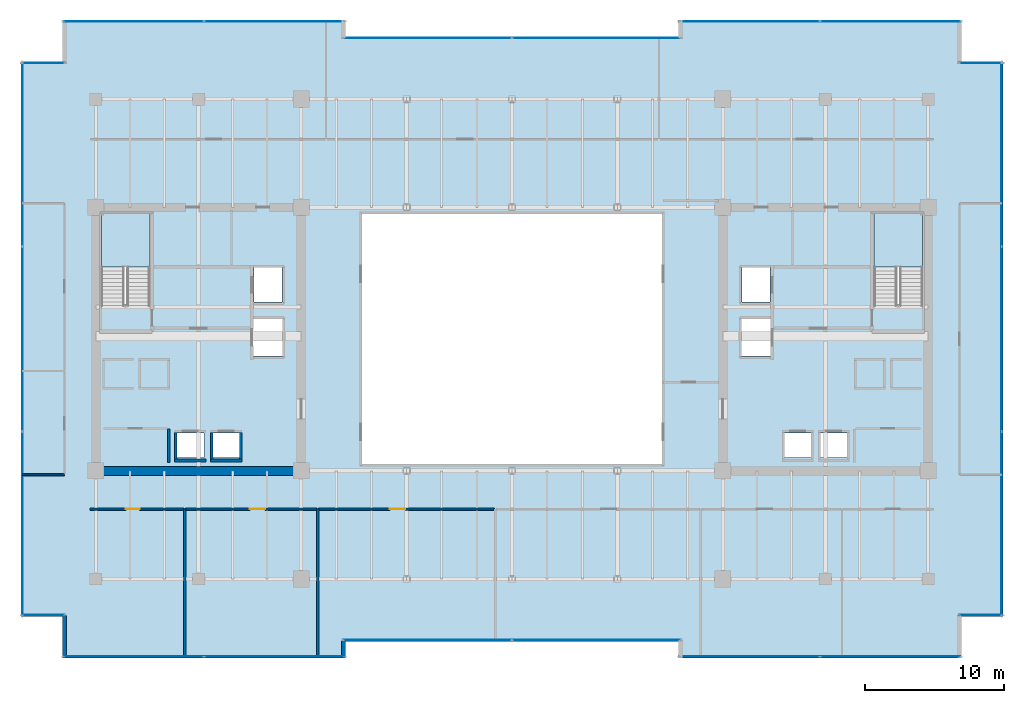
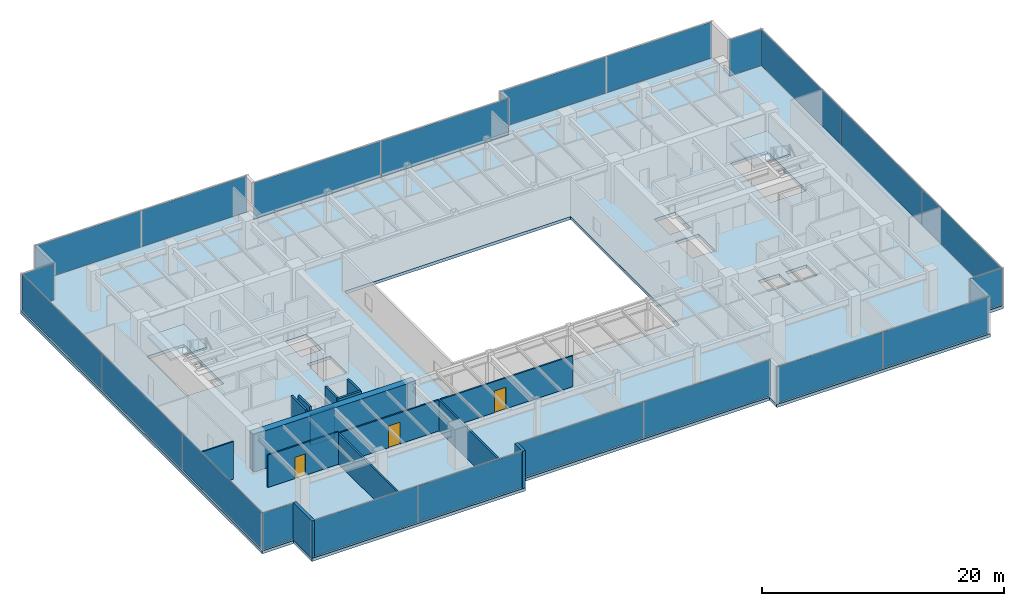
# One storey, part 24 of 30: 22 plates, 15 walls, 3 doors, 3 slabs, 3 openings, 14 elements without a shape of their own.
"""IFC4 building model written with IfcOpenShell, lengths in metres."""

from ifc_helpers import new_model, si_unit, direction, frame, frame_2d, origin, origin_2d, place, context, subcontext, project, spatial, polyline, rectangle, outline, extrude, source, transform, mapped, material, layer, layer_set, type_object, type_shapes, element, fill, aggregate, save


model = new_model("IFC4")

# Units and contexts
model_context = context("Model", 3, precision=1e-05, world=origin(), true_north=direction((0.0, 1.0)))
body_context = subcontext(model_context, "Body", "Model", "MODEL_VIEW")
ifc_project = project(units=[si_unit("LENGTHUNIT", "METRE"), si_unit("AREAUNIT", "SQUARE_METRE"), si_unit("VOLUMEUNIT", "CUBIC_METRE"), si_unit("PLANEANGLEUNIT", "RADIAN"), si_unit("MASSUNIT", "GRAM", prefix="KILO")], contexts=[model_context])

# Site, building, storey
site_placement = place(None, origin())
site = spatial("IfcSite", under=ifc_project, at=site_placement, CompositionType="ELEMENT")
building_placement = place(site_placement, origin())
building = spatial("IfcBuilding", under=site, at=building_placement, Name="Haelvirn Gate Laboratories", CompositionType="ELEMENT")
storey_placement = place(building_placement, frame((0.0, 0.0, 129.699951171875)))
storey = spatial("IfcBuildingStorey", under=building, at=storey_placement, Name="L31", CompositionType="ELEMENT", Elevation=129.699951171875)

# Stair, slab
ifc_material_1 = material(Name="Concrete C40/50", Category="concrete")
stair_type = type_object("IfcStairType", Name="ST-DOG-1650-R22", PredefinedType="HALF_TURN_STAIR", material=ifc_material_1)
stair_1_placement = place(storey_placement, origin())
stair_1 = element("IfcStair", 1, at=stair_1_placement, inside=storey, type_object=stair_type, Name="L31 Escape Stair ST1", PredefinedType="HALF_TURN_STAIR")
ifc_layer_1 = layer(ifc_material_1, 0.199951171875, Name="SL-STAIR-LND")
ifc_layer_set_1 = layer_set([ifc_layer_1], Name="Concrete C40/50")
slab_type_1 = type_object("IfcSlabType", Name="SL-STAIR-LND", PredefinedType="LANDING", material=ifc_layer_set_1)
slab_1_placement = place(storey_placement, frame((0.0, 0.0, 1.85009765625)))
slab_1 = element("IfcSlab", 2, at=slab_1_placement, type_object=slab_type_1, Name="ST1 landing 1", PredefinedType="LANDING", context=body_context, shape_type="SweptSolid", body=[
    extrude(outline(polyline([(11.300048828125, 29.5), (11.300048828125, 33.35009765625), (7.800048828125, 33.35009765625), (7.800048828125, 29.5), (11.300048828125, 29.5)])), origin(), (0.0, 0.0, 1.0), 0.199951171875),
])
aggregate(stair_1, [slab_1])

stair_2_placement = place(storey_placement, origin())
stair_2 = element("IfcStair", 3, at=stair_2_placement, inside=storey, type_object=stair_type, Name="L31 Escape Stair ST2", PredefinedType="HALF_TURN_STAIR")
slab_2_placement = place(storey_placement, frame((0.0, 0.0, 1.85009765625)))
slab_2 = element("IfcSlab", 4, at=slab_2_placement, type_object=slab_type_1, Name="ST2 landing 1", PredefinedType="LANDING", context=body_context, shape_type="SweptSolid", body=[
    extrude(outline(polyline([(67.0, 29.5), (67.0, 33.35009765625), (63.5, 33.35009765625), (63.5, 29.5), (67.0, 29.5)])), origin(), (0.0, 0.0, 1.0), 0.199951171875),
])
aggregate(stair_2, [slab_2])

# Slab
ifc_layer_2 = layer(ifc_material_1, 0.31005859375, Name="SL-Z2-310")
ifc_layer_set_2 = layer_set([ifc_layer_2], Name="Concrete C40/50")
slab_type_2 = type_object("IfcSlabType", Name="SL-Z2-310", PredefinedType="FLOOR", material=ifc_layer_set_2)
slab_3_placement = place(storey_placement, frame((0.0, 0.0, -0.31005859375)))
element("IfcSlab", 5, at=slab_3_placement, inside=storey, type_object=slab_type_2, Name="L31 Structural Slab MAIN", PredefinedType="FLOOR", context=body_context, shape_type="SweptSolid", body=[
    extrude(outline(polyline([(5.0, 1.300048828125), (25.39990234375, 1.300048828125), (25.39990234375, 2.5), (49.39990234375, 2.5), (49.39990234375, 1.300048828125), (69.800048828125, 1.300048828125), (69.800048828125, 4.300048828125), (72.800048828125, 4.300048828125), (72.800048828125, 44.300048828125), (69.800048828125, 44.300048828125), (69.800048828125, 47.300048828125), (49.39990234375, 47.300048828125), (49.39990234375, 46.10009765625), (25.39990234375, 46.10009765625), (25.39990234375, 47.300048828125), (5.0, 47.300048828125), (5.0, 44.300048828125), (2.0, 44.300048828125), (2.0, 4.300048828125), (5.0, 4.300048828125), (5.0, 1.300048828125)]), holes=[polyline([(26.60009765625, 15.300048828125), (48.199951171875, 15.300048828125), (48.199951171875, 33.300048828125), (26.60009765625, 33.300048828125), (26.60009765625, 15.300048828125)]), polyline([(11.300048828125, 26.780029296875), (11.300048828125, 33.35009765625), (7.800048828125, 33.35009765625), (7.800048828125, 26.780029296875), (11.300048828125, 26.780029296875)]), polyline([(67.0, 26.780029296875), (67.0, 33.35009765625), (63.5, 33.35009765625), (63.5, 26.780029296875), (67.0, 26.780029296875)]), polyline([(13.18994140625, 15.77001953125), (15.2099609375, 15.77001953125), (15.2099609375, 17.510009765625), (13.18994140625, 17.510009765625), (13.18994140625, 15.77001953125)]), polyline([(15.7900390625, 15.77001953125), (17.81005859375, 15.77001953125), (17.81005859375, 17.510009765625), (15.7900390625, 17.510009765625), (15.7900390625, 15.77001953125)]), polyline([(18.7900390625, 26.969970703125), (20.81005859375, 26.969970703125), (20.81005859375, 29.510009765625), (18.7900390625, 29.510009765625), (18.7900390625, 26.969970703125)]), polyline([(18.68994140625, 23.070068359375), (20.909912109375, 23.070068359375), (20.909912109375, 25.81005859375), (18.68994140625, 25.81005859375), (18.68994140625, 23.070068359375)]), polyline([(59.590087890625, 15.77001953125), (61.610107421875, 15.77001953125), (61.610107421875, 17.510009765625), (59.590087890625, 17.510009765625), (59.590087890625, 15.77001953125)]), polyline([(56.989990234375, 15.77001953125), (59.010009765625, 15.77001953125), (59.010009765625, 17.510009765625), (56.989990234375, 17.510009765625), (56.989990234375, 15.77001953125)]), polyline([(53.989990234375, 26.969970703125), (56.010009765625, 26.969970703125), (56.010009765625, 29.510009765625), (53.989990234375, 29.510009765625), (53.989990234375, 26.969970703125)]), polyline([(53.889892578125, 23.070068359375), (56.110107421875, 23.070068359375), (56.110107421875, 25.81005859375), (53.889892578125, 25.81005859375), (53.889892578125, 23.070068359375)])]), origin(), (0.0, 0.0, 1.0), 0.31005859375),
])

# Curtain wall, plates
ifc_material_2 = material(Name="Anodised bronze unitised aluminium & triple low-E glass", Category="aluminium")
ifc_layer_3 = layer(ifc_material_2, 0.179931640625, Name="CW-SYS-3")
ifc_layer_set_3 = layer_set([ifc_layer_3], Name="Anodised bronze unitised aluminium & triple low-E glass")
curtain_wall_type_1 = type_object("IfcCurtainWallType", Name="CW-SYS-3", PredefinedType="NOTDEFINED", material=ifc_layer_set_3)
curtain_wall_1_placement = place(storey_placement, origin())
curtain_wall_1 = element("IfcCurtainWall", 6, at=curtain_wall_1_placement, inside=storey, type_object=curtain_wall_type_1, Name="L31 Unitised Curtain Wall CW-L31-P0-E00-1", PredefinedType="NOTDEFINED")
ifc_material_3 = material(Name="High-selectivity bronze triple IGU 40 mm", Category="glass")
ifc_layer_4 = layer(ifc_material_3, 0.0400390625, Name="CWP-IGU-40")
ifc_layer_set_4 = layer_set([ifc_layer_4], Name="High-selectivity bronze triple IGU 40 mm")
plate_type_1 = type_object("IfcPlateType", Name="CWP-IGU-40", PredefinedType="CURTAIN_PANEL", material=ifc_layer_set_4)
shared_shape_1 = source(origin(), body_context, "Body", "SweptSolid", [
    extrude(rectangle(XDim=10.08740234375, YDim=0.0400390625, at=origin_2d()), origin(), (0.0, 0.0, 1.0), 3.659912109375),
])
plate_1_placement = place(storey_placement, frame((10.11865234375, 1.39990234375, 0.06494140625), z_axis=(0.0, 0.0, 1.0), x_axis=(1.0, 0.0, 0.0)))
plate_1 = element("IfcPlate", 7, at=plate_1_placement, type_object=plate_type_1, Name="CW3 panel 1.1", PredefinedType="CURTAIN_PANEL", context=body_context, shape_type="MappedRepresentation", body=[
    mapped(shared_shape_1, transform((0.0, 0.0, 0.0), scale=1.0)),
])
plate_2_placement = place(storey_placement, frame((20.28125, 1.39990234375, 0.06494140625), z_axis=(0.0, 0.0, 1.0), x_axis=(1.0, 0.0, 0.0)))
plate_2 = element("IfcPlate", 8, at=plate_2_placement, type_object=plate_type_1, Name="CW3 panel 2.1", PredefinedType="CURTAIN_PANEL", context=body_context, shape_type="MappedRepresentation", body=[
    mapped(shared_shape_1, transform((0.0, 0.0, 0.0), scale=1.0)),
])
aggregate(curtain_wall_1, [plate_1, plate_2])

curtain_wall_2_placement = place(storey_placement, origin())
curtain_wall_2 = element("IfcCurtainWall", 9, at=curtain_wall_2_placement, inside=storey, type_object=curtain_wall_type_1, Name="L31 Unitised Curtain Wall CW-L31-P0-E04-1", PredefinedType="NOTDEFINED")
plate_3_placement = place(storey_placement, frame((54.518798828125, 1.39990234375, 0.06494140625), z_axis=(0.0, 0.0, 1.0), x_axis=(1.0, 0.0, 0.0)))
plate_3 = element("IfcPlate", 10, at=plate_3_placement, type_object=plate_type_1, Name="CW3 panel 1.1", PredefinedType="CURTAIN_PANEL", context=body_context, shape_type="MappedRepresentation", body=[
    mapped(shared_shape_1, transform((0.0, 0.0, 0.0), scale=1.0)),
])
plate_4_placement = place(storey_placement, frame((64.68115234375, 1.39990234375, 0.06494140625), z_axis=(0.0, 0.0, 1.0), x_axis=(1.0, 0.0, 0.0)))
plate_4 = element("IfcPlate", 11, at=plate_4_placement, type_object=plate_type_1, Name="CW3 panel 2.1", PredefinedType="CURTAIN_PANEL", context=body_context, shape_type="MappedRepresentation", body=[
    mapped(shared_shape_1, transform((0.0, 0.0, 0.0), scale=1.0)),
])
aggregate(curtain_wall_2, [plate_3, plate_4])

curtain_wall_3_placement = place(storey_placement, origin())
curtain_wall_3 = element("IfcCurtainWall", 12, at=curtain_wall_3_placement, inside=storey, type_object=curtain_wall_type_1, Name="L31 Unitised Curtain Wall CW-L31-P0-E10-1", PredefinedType="NOTDEFINED")
plate_5_placement = place(storey_placement, frame((54.518798828125, 47.199951171875, 0.06494140625), z_axis=(0.0, 0.0, 1.0), x_axis=(1.0, 0.0, 0.0)))
plate_5 = element("IfcPlate", 13, at=plate_5_placement, type_object=plate_type_1, Name="CW3 panel 1.1", PredefinedType="CURTAIN_PANEL", context=body_context, shape_type="MappedRepresentation", body=[
    mapped(shared_shape_1, transform((0.0, 0.0, 0.0), scale=1.0)),
])
plate_6_placement = place(storey_placement, frame((64.68115234375, 47.199951171875, 0.06494140625), z_axis=(0.0, 0.0, 1.0), x_axis=(1.0, 0.0, 0.0)))
plate_6 = element("IfcPlate", 14, at=plate_6_placement, type_object=plate_type_1, Name="CW3 panel 2.1", PredefinedType="CURTAIN_PANEL", context=body_context, shape_type="MappedRepresentation", body=[
    mapped(shared_shape_1, transform((0.0, 0.0, 0.0), scale=1.0)),
])
aggregate(curtain_wall_3, [plate_5, plate_6])

curtain_wall_4_placement = place(storey_placement, origin())
curtain_wall_4 = element("IfcCurtainWall", 15, at=curtain_wall_4_placement, inside=storey, type_object=curtain_wall_type_1, Name="L31 Unitised Curtain Wall CW-L31-P0-E14-1", PredefinedType="NOTDEFINED")
plate_7_placement = place(storey_placement, frame((10.11865234375, 47.199951171875, 0.06494140625), z_axis=(0.0, 0.0, 1.0), x_axis=(1.0, 0.0, 0.0)))
plate_7 = element("IfcPlate", 16, at=plate_7_placement, type_object=plate_type_1, Name="CW3 panel 1.1", PredefinedType="CURTAIN_PANEL", context=body_context, shape_type="MappedRepresentation", body=[
    mapped(shared_shape_1, transform((0.0, 0.0, 0.0), scale=1.0)),
])
plate_8_placement = place(storey_placement, frame((20.28125, 47.199951171875, 0.06494140625), z_axis=(0.0, 0.0, 1.0), x_axis=(1.0, 0.0, 0.0)))
plate_8 = element("IfcPlate", 17, at=plate_8_placement, type_object=plate_type_1, Name="CW3 panel 2.1", PredefinedType="CURTAIN_PANEL", context=body_context, shape_type="MappedRepresentation", body=[
    mapped(shared_shape_1, transform((0.0, 0.0, 0.0), scale=1.0)),
])
aggregate(curtain_wall_4, [plate_7, plate_8])

curtain_wall_5_placement = place(storey_placement, origin())
curtain_wall_5 = element("IfcCurtainWall", 18, at=curtain_wall_5_placement, inside=storey, type_object=curtain_wall_type_1, Name="L31 Unitised Curtain Wall CW-L31-P0-E02-1", PredefinedType="NOTDEFINED")
shared_shape_2 = source(origin(), body_context, "Body", "SweptSolid", [
    extrude(rectangle(XDim=12.12744140625, YDim=0.0400390625, at=origin_2d()), origin(), (0.0, 0.0, 1.0), 3.659912109375),
])
plate_9_placement = place(storey_placement, frame((31.298828125, 2.60009765625, 0.06494140625), z_axis=(0.0, 0.0, 1.0), x_axis=(1.0, 0.0, 0.0)))
plate_9 = element("IfcPlate", 19, at=plate_9_placement, type_object=plate_type_1, Name="CW3 panel 1.1", PredefinedType="CURTAIN_PANEL", context=body_context, shape_type="MappedRepresentation", body=[
    mapped(shared_shape_2, transform((0.0, 0.0, 0.0), scale=1.0)),
])
plate_10_placement = place(storey_placement, frame((43.501220703125, 2.60009765625, 0.06494140625), z_axis=(0.0, 0.0, 1.0), x_axis=(1.0, 0.0, 0.0)))
plate_10 = element("IfcPlate", 20, at=plate_10_placement, type_object=plate_type_1, Name="CW3 panel 2.1", PredefinedType="CURTAIN_PANEL", context=body_context, shape_type="MappedRepresentation", body=[
    mapped(shared_shape_2, transform((0.0, 0.0, 0.0), scale=1.0)),
])
aggregate(curtain_wall_5, [plate_9, plate_10])

curtain_wall_6_placement = place(storey_placement, origin())
curtain_wall_6 = element("IfcCurtainWall", 21, at=curtain_wall_6_placement, inside=storey, type_object=curtain_wall_type_1, Name="L31 Unitised Curtain Wall CW-L31-P0-E12-1", PredefinedType="NOTDEFINED")
plate_11_placement = place(storey_placement, frame((31.298828125, 46.0, 0.06494140625), z_axis=(0.0, 0.0, 1.0), x_axis=(1.0, 0.0, 0.0)))
plate_11 = element("IfcPlate", 22, at=plate_11_placement, type_object=plate_type_1, Name="CW3 panel 1.1", PredefinedType="CURTAIN_PANEL", context=body_context, shape_type="MappedRepresentation", body=[
    mapped(shared_shape_2, transform((0.0, 0.0, 0.0), scale=1.0)),
])
plate_12_placement = place(storey_placement, frame((43.501220703125, 46.0, 0.06494140625), z_axis=(0.0, 0.0, 1.0), x_axis=(1.0, 0.0, 0.0)))
plate_12 = element("IfcPlate", 23, at=plate_12_placement, type_object=plate_type_1, Name="CW3 panel 2.1", PredefinedType="CURTAIN_PANEL", context=body_context, shape_type="MappedRepresentation", body=[
    mapped(shared_shape_2, transform((0.0, 0.0, 0.0), scale=1.0)),
])
aggregate(curtain_wall_6, [plate_11, plate_12])

# Curtain wall, plate
ifc_layer_5 = layer(ifc_material_2, 0.181884765625, Name="CW-SYS-5")
ifc_layer_set_5 = layer_set([ifc_layer_5], Name="Anodised bronze unitised aluminium & triple low-E glass")
curtain_wall_type_2 = type_object("IfcCurtainWallType", Name="CW-SYS-5", PredefinedType="NOTDEFINED", material=ifc_layer_set_5)
curtain_wall_7_placement = place(storey_placement, origin())
curtain_wall_7 = element("IfcCurtainWall", 24, at=curtain_wall_7_placement, inside=storey, type_object=curtain_wall_type_2, Name="L31 Unitised Curtain Wall CW-L31-P0-E06-1", PredefinedType="NOTDEFINED")
ifc_material_4 = material(Name="Clear low-iron notched-corner triple IGU 42 mm", Category="glass")
ifc_layer_6 = layer(ifc_material_4, 0.0419921875, Name="CWP-NTC-42")
ifc_layer_set_6 = layer_set([ifc_layer_6], Name="Clear low-iron notched-corner triple IGU 42 mm")
plate_type_2 = type_object("IfcPlateType", Name="CWP-NTC-42", PredefinedType="CURTAIN_PANEL", material=ifc_layer_set_6)
shared_shape_3 = source(origin(), body_context, "Body", "SweptSolid", [
    extrude(rectangle(XDim=3.080078125, YDim=0.0419921875, at=origin_2d()), origin(), (0.0, 0.0, 1.0), 3.659912109375),
])
type_shapes(plate_type_2, [shared_shape_3])
plate_13_placement = place(storey_placement, frame((71.179931640625, 4.39990234375, 0.06494140625), z_axis=(0.0, 0.0, 1.0), x_axis=(1.0, 0.0, 0.0)))
plate_13 = element("IfcPlate", 25, at=plate_13_placement, type_object=plate_type_2, Name="CW5 panel 1.1", PredefinedType="CURTAIN_PANEL", context=body_context, shape_type="MappedRepresentation", body=[
    mapped(shared_shape_3, transform((0.0, 0.0, 0.0), scale=1.0)),
])
aggregate(curtain_wall_7, [plate_13])

curtain_wall_8_placement = place(storey_placement, origin())
curtain_wall_8 = element("IfcCurtainWall", 26, at=curtain_wall_8_placement, inside=storey, type_object=curtain_wall_type_2, Name="L31 Unitised Curtain Wall CW-L31-P0-E08-1", PredefinedType="NOTDEFINED")
plate_14_placement = place(storey_placement, frame((71.179931640625, 44.199951171875, 0.06494140625), z_axis=(0.0, 0.0, 1.0), x_axis=(1.0, 0.0, 0.0)))
plate_14 = element("IfcPlate", 27, at=plate_14_placement, type_object=plate_type_2, Name="CW5 panel 1.1", PredefinedType="CURTAIN_PANEL", context=body_context, shape_type="MappedRepresentation", body=[
    mapped(shared_shape_3, transform((0.0, 0.0, 0.0), scale=1.0)),
])
aggregate(curtain_wall_8, [plate_14])

curtain_wall_9_placement = place(storey_placement, origin())
curtain_wall_9 = element("IfcCurtainWall", 28, at=curtain_wall_9_placement, inside=storey, type_object=curtain_wall_type_2, Name="L31 Unitised Curtain Wall CW-L31-P0-E16-1", PredefinedType="NOTDEFINED")
plate_15_placement = place(storey_placement, frame((3.6201171875, 44.199951171875, 0.06494140625), z_axis=(0.0, 0.0, 1.0), x_axis=(1.0, 0.0, 0.0)))
plate_15 = element("IfcPlate", 29, at=plate_15_placement, type_object=plate_type_2, Name="CW5 panel 1.1", PredefinedType="CURTAIN_PANEL", context=body_context, shape_type="MappedRepresentation", body=[
    mapped(shared_shape_3, transform((0.0, 0.0, 0.0), scale=1.0)),
])
aggregate(curtain_wall_9, [plate_15])

curtain_wall_10_placement = place(storey_placement, origin())
curtain_wall_10 = element("IfcCurtainWall", 30, at=curtain_wall_10_placement, inside=storey, type_object=curtain_wall_type_2, Name="L31 Unitised Curtain Wall CW-L31-P0-E18-1", PredefinedType="NOTDEFINED")
plate_16_placement = place(storey_placement, frame((3.6201171875, 4.39990234375, 0.06494140625), z_axis=(0.0, 0.0, 1.0), x_axis=(1.0, 0.0, 0.0)))
plate_16 = element("IfcPlate", 31, at=plate_16_placement, type_object=plate_type_2, Name="CW5 panel 1.1", PredefinedType="CURTAIN_PANEL", context=body_context, shape_type="MappedRepresentation", body=[
    mapped(shared_shape_3, transform((0.0, 0.0, 0.0), scale=1.0)),
])
aggregate(curtain_wall_10, [plate_16])

# Curtain wall, plates
curtain_wall_11_placement = place(storey_placement, origin())
curtain_wall_11 = element("IfcCurtainWall", 32, at=curtain_wall_11_placement, inside=storey, type_object=curtain_wall_type_1, Name="L31 Unitised Curtain Wall CW-L31-P0-E07", PredefinedType="NOTDEFINED")
shared_shape_4 = source(origin(), body_context, "Body", "SweptSolid", [
    extrude(rectangle(XDim=13.220947265625, YDim=0.0400390625, at=origin_2d()), origin(), (0.0, 0.0, 1.0), 3.659912109375),
])
plate_17_placement = place(storey_placement, frame((72.699951171875, 10.9853515625, 0.06494140625), z_axis=(0.0, 0.0, 1.0), x_axis=(0.0, 1.0, 0.0)))
plate_17 = element("IfcPlate", 33, at=plate_17_placement, type_object=plate_type_1, Name="CW3 panel 1.1", PredefinedType="CURTAIN_PANEL", context=body_context, shape_type="MappedRepresentation", body=[
    mapped(shared_shape_4, transform((0.0, 0.0, 0.0), scale=1.0)),
])
plate_18_placement = place(storey_placement, frame((72.699951171875, 37.614501953125, 0.06494140625), z_axis=(0.0, 0.0, 1.0), x_axis=(0.0, 1.0, 0.0)))
plate_18 = element("IfcPlate", 34, at=plate_18_placement, type_object=plate_type_1, Name="CW3 panel 3.1", PredefinedType="CURTAIN_PANEL", context=body_context, shape_type="MappedRepresentation", body=[
    mapped(shared_shape_4, transform((0.0, 0.0, 0.0), scale=1.0)),
])

curtain_wall_12_placement = place(storey_placement, origin())
curtain_wall_12 = element("IfcCurtainWall", 35, at=curtain_wall_12_placement, inside=storey, type_object=curtain_wall_type_1, Name="L31 Unitised Curtain Wall CW-L31-P0-E17", PredefinedType="NOTDEFINED")
plate_19_placement = place(storey_placement, frame((2.10009765625, 37.614501953125, 0.06494140625), z_axis=(0.0, 0.0, 1.0), x_axis=(0.0, -1.0, 0.0)))
plate_19 = element("IfcPlate", 36, at=plate_19_placement, type_object=plate_type_1, Name="CW3 panel 1.1", PredefinedType="CURTAIN_PANEL", context=body_context, shape_type="MappedRepresentation", body=[
    mapped(shared_shape_4, transform((0.0, 0.0, 0.0), scale=1.0)),
])
plate_20_placement = place(storey_placement, frame((2.10009765625, 10.9853515625, 0.06494140625), z_axis=(0.0, 0.0, 1.0), x_axis=(0.0, -1.0, 0.0)))
plate_20 = element("IfcPlate", 37, at=plate_20_placement, type_object=plate_type_1, Name="CW3 panel 3.1", PredefinedType="CURTAIN_PANEL", context=body_context, shape_type="MappedRepresentation", body=[
    mapped(shared_shape_4, transform((0.0, 0.0, 0.0), scale=1.0)),
])

# Plate
shared_shape_5 = source(origin(), body_context, "Body", "SweptSolid", [
    extrude(rectangle(XDim=13.25830078125, YDim=0.0400390625, at=origin_2d()), origin(), (0.0, 0.0, 1.0), 3.659912109375),
])
type_shapes(plate_type_1, [shared_shape_1, shared_shape_2, shared_shape_4, shared_shape_5])
plate_21_placement = place(storey_placement, frame((72.699951171875, 24.300048828125, 0.06494140625), z_axis=(0.0, 0.0, 1.0), x_axis=(0.0, 1.0, 0.0)))
plate_21 = element("IfcPlate", 38, at=plate_21_placement, type_object=plate_type_1, Name="CW3 panel 2.1", PredefinedType="CURTAIN_PANEL", context=body_context, shape_type="MappedRepresentation", body=[
    mapped(shared_shape_5, transform((0.0, 0.0, 0.0), scale=1.0)),
])

aggregate(curtain_wall_11, [plate_17, plate_21, plate_18])

plate_22_placement = place(storey_placement, frame((2.10009765625, 24.300048828125, 0.06494140625), z_axis=(0.0, 0.0, 1.0), x_axis=(0.0, -1.0, 0.0)))
plate_22 = element("IfcPlate", 39, at=plate_22_placement, type_object=plate_type_1, Name="CW3 panel 2.1", PredefinedType="CURTAIN_PANEL", context=body_context, shape_type="MappedRepresentation", body=[
    mapped(shared_shape_5, transform((0.0, 0.0, 0.0), scale=1.0)),
])

aggregate(curtain_wall_12, [plate_19, plate_22, plate_20])

# Walls
ifc_material_5 = material(Name="Thermally-broken bronze aluminium rainscreen & mineral wool", Category="aluminium")
ifc_layer_7 = layer(ifc_material_5, 0.280029296875, Name="EW-TERR-280")
ifc_layer_set_7 = layer_set([ifc_layer_7], Name="Thermally-broken bronze aluminium rainscreen & mineral wool")
wall_type_1 = type_object("IfcWallType", Name="EW-TERR-280", PredefinedType="STANDARD", material=ifc_layer_set_7)
wall_1_placement = place(storey_placement, frame((25.260009765625, 1.300048828125, 0.0), z_axis=(0.0, 0.0, 1.0), x_axis=(0.0, 1.0, 0.0)))
element("IfcWall", 40, at=wall_1_placement, inside=storey, type_object=wall_type_1, Name="L31 Atrium Recess Bronze Return Wall 01", PredefinedType="STANDARD", context=body_context, shape_type="SweptSolid", body=[
    extrude(rectangle(XDim=1.287841796875, YDim=0.280029296875, at=frame_2d((0.64404296875, 0.0))), origin(), (0.0, 0.0, 1.0), 3.7900390625),
])
wall_2_placement = place(storey_placement, frame((5.139892578125, 4.387939453125, 0.0), z_axis=(0.0, 0.0, 1.0), x_axis=(0.0, -1.0, 0.0)))
element("IfcWall", 41, at=wall_2_placement, inside=storey, type_object=wall_type_1, Name="L31 Atrium Recess Bronze Return Wall 19", PredefinedType="STANDARD", context=body_context, shape_type="SweptSolid", body=[
    extrude(rectangle(XDim=3.087890625, YDim=0.280029296875, at=frame_2d((1.5439453125, 0.0))), origin(), (0.0, 0.0, 1.0), 3.7900390625),
])
ifc_material_6 = material(Name="Double-layer acoustic gypsum laboratory partition", Category="gypsum")
ifc_layer_8 = layer(ifc_material_6, 0.159912109375, Name="IW-ACOUST-160")
ifc_layer_set_8 = layer_set([ifc_layer_8], Name="Double-layer acoustic gypsum laboratory partition")
wall_type_2 = type_object("IfcWallType", Name="IW-ACOUST-160", PredefinedType="PARTITIONING", material=ifc_layer_set_8)
for number, where, z_axis, x_axis, name in (
    (42, (13.800048828125, 1.409912109375, 0.0), (0.0, 0.0, 1.0), (0.0, 1.0, 0.0), "L31 Interior Wall IW-L31-SDIV-01"),
    (43, (23.39990234375, 1.409912109375, 0.0), (0.0, 0.0, 1.0), (0.0, 1.0, 0.0), "L31 Interior Wall IW-L31-SDIV-02"),
):
    element("IfcWall", number, at=place(storey_placement, frame(where, z_axis=z_axis, x_axis=x_axis)), inside=storey, type_object=wall_type_2, Name=name, PredefinedType="PARTITIONING", context=body_context, shape_type="SweptSolid", body=[
        extrude(rectangle(XDim=10.630126953125, YDim=0.159912109375, at=frame_2d((5.31494140625, 0.0))), origin(), (0.0, 0.0, 1.0), 3.074951171875),
    ])
ifc_material_7 = material(Name="Lightweight acoustic gypsum board partition", Category="gypsum")
ifc_layer_9 = layer(ifc_material_7, 0.1201171875, Name="IW-PART-120")
ifc_layer_set_9 = layer_set([ifc_layer_9], Name="Lightweight acoustic gypsum board partition")
wall_type_3 = type_object("IfcWallType", Name="IW-PART-120", PredefinedType="PARTITIONING", material=ifc_layer_set_9)
wall_3_placement = place(storey_placement, frame((2.110107421875, 14.514892578125, 0.0), z_axis=(0.0, 0.0, 1.0), x_axis=(1.0, 0.0, 0.0)))
element("IfcWall", 44, at=wall_3_placement, inside=storey, type_object=wall_type_3, Name="L31 Interior Wall IW-L31-WCAP-S", PredefinedType="PARTITIONING", context=body_context, shape_type="SweptSolid", body=[
    extrude(rectangle(XDim=3.019775390625, YDim=0.1201171875, at=frame_2d((1.509765625, 0.0))), origin(), (0.0, 0.0, 1.0), 3.7900390625),
])

# Wall, opening, door
ifc_material_8 = material(Name="Acoustic mineral-wool gypsum board partition", Category="gypsum")
ifc_layer_10 = layer(ifc_material_8, 0.139892578125, Name="IW-PART-140")
ifc_layer_set_10 = layer_set([ifc_layer_10], Name="Acoustic mineral-wool gypsum board partition")
wall_type_4 = type_object("IfcWallType", Name="IW-PART-140", PredefinedType="PARTITIONING", material=ifc_layer_set_10)
wall_4_placement = place(storey_placement, frame((6.97998046875, 12.0400390625, 0.0), z_axis=(0.0, 0.0, 1.0), x_axis=(1.0, 0.0, 0.0)))
wall_4 = element("IfcWall", 45, at=wall_4_placement, inside=storey, type_object=wall_type_4, Name="L31 Interior Wall IW-L31-SCORR-01", PredefinedType="PARTITIONING", context=body_context, shape_type="SweptSolid", body=[
    extrude(rectangle(XDim=6.739990234375, YDim=0.139892578125, at=frame_2d((3.3701171875, 0.0))), origin(), (0.0, 0.0, 1.0), 3.275146484375),
])
opening_1_placement = place(wall_4_placement, frame((2.567626953125, 0.0, 0.0)))
opening_1 = element("IfcOpeningElement", 46, at=opening_1_placement, cuts=wall_4, Name="Opening D2", PredefinedType="OPENING", context=body_context, shape_type="SweptSolid", body=[
    extrude(rectangle(XDim=1.0, YDim=2.14990234375, at=frame_2d((0.5, 1.074951171875))), frame((0.0, 0.080078125, 0.0), z_axis=(0.0, -1.0, 0.0), x_axis=(1.0, 0.0, 0.0)), (0.0, 0.0, 1.0), 0.159912109375),
])
ifc_material_9 = material(Name="Acoustic solid-core timber suite door", Category="wood")
door_type_1 = type_object("IfcDoorType", Name="DR-INT-1000", OperationType="NOTDEFINED", PredefinedType="DOOR", material=ifc_material_9)
shared_shape_6 = source(origin(), body_context, "Body", "SweptSolid", [
    extrude(rectangle(XDim=1.0, YDim=2.14990234375, at=frame_2d((0.5, 1.074951171875))), frame((0.0, 0.02490234375, 0.0), z_axis=(0.0, -1.0, 0.0), x_axis=(1.0, 0.0, 0.0)), (0.0, 0.0, 1.0), 0.050048828125),
])
type_shapes(door_type_1, [shared_shape_6])
door_1_placement = place(opening_1_placement, origin())
door_1 = element("IfcDoor", 47, at=door_1_placement, inside=storey, type_object=door_type_1, Name="L31 Peer-Review Seminar Room Door S1", OperationType="SINGLE_SWING_RIGHT", OverallHeight=2.14990234375, OverallWidth=1.0, PredefinedType="DOOR", context=body_context, shape_type="MappedRepresentation", body=[
    mapped(shared_shape_6, transform((0.0, 0.0, 0.0), scale=1.0)),
])
fill(opening_1, door_1)

wall_5_placement = place(storey_placement, frame((13.8798828125, 12.0400390625, 0.0), z_axis=(0.0, 0.0, 1.0), x_axis=(1.0, 0.0, 0.0)))
wall_5 = element("IfcWall", 48, at=wall_5_placement, inside=storey, type_object=wall_type_4, Name="L31 Interior Wall IW-L31-SCORR-02", PredefinedType="PARTITIONING", context=body_context, shape_type="SweptSolid", body=[
    extrude(rectangle(XDim=9.440185546875, YDim=0.139892578125, at=frame_2d((4.72021484375, 0.0))), origin(), (0.0, 0.0, 1.0), 3.125),
])
opening_2_placement = place(wall_5_placement, frame((4.62841796875, 0.0, 0.0)))
opening_2 = element("IfcOpeningElement", 49, at=opening_2_placement, cuts=wall_5, Name="Opening D1", PredefinedType="OPENING", context=body_context, shape_type="SweptSolid", body=[
    extrude(rectangle(XDim=1.10009765625, YDim=2.179931640625, at=frame_2d((0.550048828125, 1.08984375))), frame((0.0, 0.080078125, 0.0), z_axis=(0.0, -1.0, 0.0), x_axis=(1.0, 0.0, 0.0)), (0.0, 0.0, 1.0), 0.159912109375),
])
ifc_material_10 = material(Name="Vision-panel acoustic solid-core timber lab door", Category="wood")
door_type_2 = type_object("IfcDoorType", Name="DR-LAB-1100", OperationType="NOTDEFINED", PredefinedType="DOOR", material=ifc_material_10)
shared_shape_7 = source(origin(), body_context, "Body", "SweptSolid", [
    extrude(rectangle(XDim=1.10009765625, YDim=2.179931640625, at=frame_2d((0.550048828125, 1.08984375))), frame((0.0, 0.02490234375, 0.0), z_axis=(0.0, -1.0, 0.0), x_axis=(1.0, 0.0, 0.0)), (0.0, 0.0, 1.0), 0.050048828125),
])
type_shapes(door_type_2, [shared_shape_7])
door_2_placement = place(opening_2_placement, origin())
door_2 = element("IfcDoor", 50, at=door_2_placement, inside=storey, type_object=door_type_2, Name="L31 Colloquium Conference Room Door S2", OperationType="SINGLE_SWING_LEFT", OverallHeight=2.179931640625, OverallWidth=1.10009765625, PredefinedType="DOOR", context=body_context, shape_type="MappedRepresentation", body=[
    mapped(shared_shape_7, transform((0.0, 0.0, 0.0), scale=1.0)),
])
fill(opening_2, door_2)

wall_6_placement = place(storey_placement, frame((23.47998046875, 12.0400390625, 0.0), z_axis=(0.0, 0.0, 1.0), x_axis=(1.0, 0.0, 0.0)))
wall_6 = element("IfcWall", 51, at=wall_6_placement, inside=storey, type_object=wall_type_4, Name="L31 Interior Wall IW-L31-SCORR-03", PredefinedType="PARTITIONING", context=body_context, shape_type="SweptSolid", body=[
    extrude(rectangle(XDim=12.64013671875, YDim=0.139892578125, at=frame_2d((6.320068359375, 0.0))), origin(), (0.0, 0.0, 1.0), 3.125),
])
opening_3_placement = place(wall_6_placement, frame((5.11962890625, 0.0, 0.0)))
opening_3 = element("IfcOpeningElement", 52, at=opening_3_placement, cuts=wall_6, Name="Opening D1", PredefinedType="OPENING", context=body_context, shape_type="SweptSolid", body=[
    extrude(rectangle(XDim=1.10009765625, YDim=2.179931640625, at=frame_2d((0.550048828125, 1.08984375))), frame((0.0, 0.080078125, 0.0), z_axis=(0.0, -1.0, 0.0), x_axis=(1.0, 0.0, 0.0)), (0.0, 0.0, 1.0), 0.159912109375),
])
door_3_placement = place(opening_3_placement, origin())
door_3 = element("IfcDoor", 53, at=door_3_placement, inside=storey, type_object=door_type_2, Name="L31 Cryo-EM Imaging Suite Door S3", OperationType="SINGLE_SWING_RIGHT", OverallHeight=2.179931640625, OverallWidth=1.10009765625, PredefinedType="DOOR", context=body_context, shape_type="MappedRepresentation", body=[
    mapped(shared_shape_7, transform((0.0, 0.0, 0.0), scale=1.0)),
])
fill(opening_3, door_3)

# Walls
ifc_layer_11 = layer(ifc_material_1, 0.179931640625, Name="IW-SHAFT-180")
ifc_layer_set_11 = layer_set([ifc_layer_11], Name="Concrete C40/50")
wall_type_5 = type_object("IfcWallType", Name="IW-SHAFT-180", PredefinedType="SOLIDWALL", material=ifc_layer_set_11)
for number, where, z_axis, x_axis, name in (
    (54, (13.14990234375, 15.64990234375, 0.0), (0.0, 0.0, 1.0), (0.0, 1.0, 0.0), "L31 Interior Wall IW-L31-PL5-SD"),
    (55, (15.75, 15.64990234375, 0.0), (0.0, 0.0, 1.0), (0.0, 1.0, 0.0), "L31 Interior Wall IW-L31-PL6-SD"),
    (56, (17.85009765625, 15.64990234375, 0.0), (0.0, 0.0, 1.0), (0.0, 1.0, 0.0), "L31 Interior Wall IW-L31-PL6-SDE"),
):
    element("IfcWall", number, at=place(storey_placement, frame(where, z_axis=z_axis, x_axis=x_axis)), inside=storey, type_object=wall_type_5, Name=name, PredefinedType="SOLIDWALL", context=body_context, shape_type="SweptSolid", body=[
        extrude(rectangle(XDim=1.900146484375, YDim=0.179931640625, at=frame_2d((0.9501953125, 0.0))), origin(), (0.0, 0.0, 1.0), 3.7900390625),
    ])
wall_7_placement = place(storey_placement, frame((12.639892578125, 15.39990234375, 0.0), z_axis=(0.0, 0.0, 1.0), x_axis=(0.0, 1.0, 0.0)))
element("IfcWall", 57, at=wall_7_placement, inside=storey, type_object=wall_type_5, Name="L31 Interior Wall IW-L31-W-FREED-LE-1", PredefinedType="SOLIDWALL", context=body_context, shape_type="SweptSolid", body=[
    extrude(rectangle(XDim=2.400146484375, YDim=0.179931640625, at=frame_2d((1.2001953125, 0.0))), origin(), (0.0, 0.0, 1.0), 3.7900390625),
])
ifc_layer_12 = layer(ifc_material_1, 0.199951171875, Name="IW-SHAFT-200")
ifc_layer_set_12 = layer_set([ifc_layer_12], Name="Concrete C40/50")
wall_type_6 = type_object("IfcWallType", Name="IW-SHAFT-200", PredefinedType="SOLIDWALL", material=ifc_layer_set_12)
wall_8_placement = place(storey_placement, frame((13.070068359375, 15.550048828125, 0.0), z_axis=(0.0, 0.0, 1.0), x_axis=(1.0, 0.0, 0.0)))
element("IfcWall", 58, at=wall_8_placement, inside=storey, type_object=wall_type_6, Name="L31 Interior Wall IW-L31-PL5-BK", PredefinedType="SOLIDWALL", context=body_context, shape_type="SweptSolid", body=[
    extrude(rectangle(XDim=2.260009765625, YDim=0.199951171875, at=frame_2d((1.1298828125, 0.0))), origin(), (0.0, 0.0, 1.0), 3.125),
])
wall_9_placement = place(storey_placement, frame((15.669921875, 15.550048828125, 0.0), z_axis=(0.0, 0.0, 1.0), x_axis=(1.0, 0.0, 0.0)))
element("IfcWall", 59, at=wall_9_placement, inside=storey, type_object=wall_type_6, Name="L31 Interior Wall IW-L31-PL6-BK", PredefinedType="SOLIDWALL", context=body_context, shape_type="SweptSolid", body=[
    extrude(rectangle(XDim=2.260009765625, YDim=0.199951171875, at=frame_2d((1.1298828125, 0.0))), origin(), (0.0, 0.0, 1.0), 3.7900390625),
])
ifc_material_11 = material(Name="Concrete C60/75", Category="concrete")
ifc_layer_13 = layer(ifc_material_11, 0.64990234375, Name="SW-CORE-650")
ifc_layer_set_13 = layer_set([ifc_layer_13], Name="Concrete C60/75")
wall_type_7 = type_object("IfcWallType", Name="SW-CORE-650", PredefinedType="SHEAR", material=ifc_layer_set_13)
wall_10_placement = place(storey_placement, frame((7.074951171875, 14.800048828125, 0.0), z_axis=(0.0, 0.0, 1.0), x_axis=(1.0, 0.0, 0.0)))
element("IfcWall", 60, at=wall_10_placement, inside=storey, type_object=wall_type_7, Name="L31 W Core Shear Wall S", PredefinedType="SHEAR", context=body_context, shape_type="SweptSolid", body=[
    extrude(rectangle(XDim=15.449951171875, YDim=0.64990234375, at=frame_2d((7.72509765625, 0.0))), origin(), (0.0, 0.0, 1.0), 3.7900390625),
])

save(model, "model.ifc")
